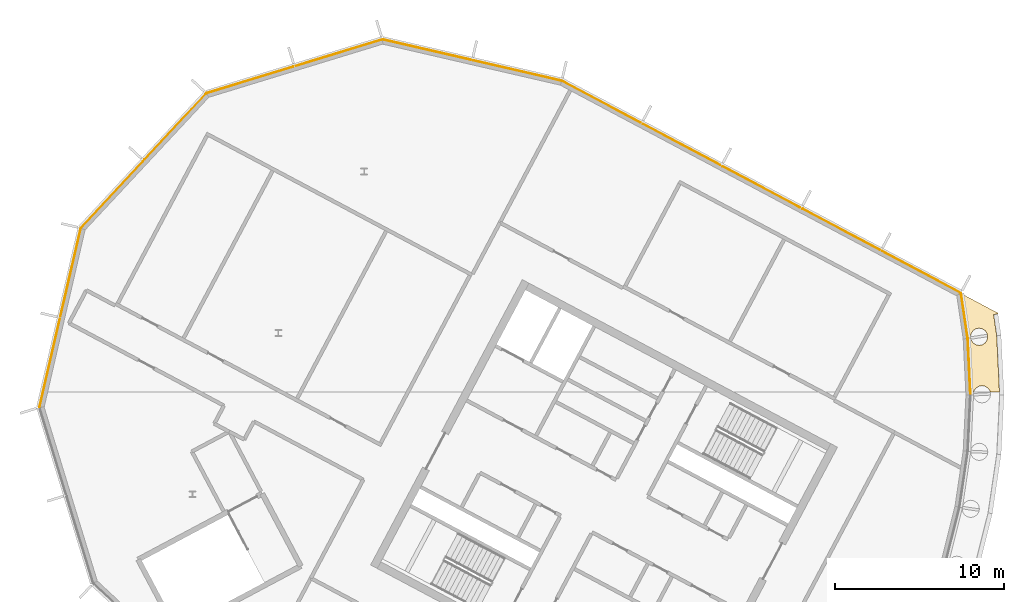
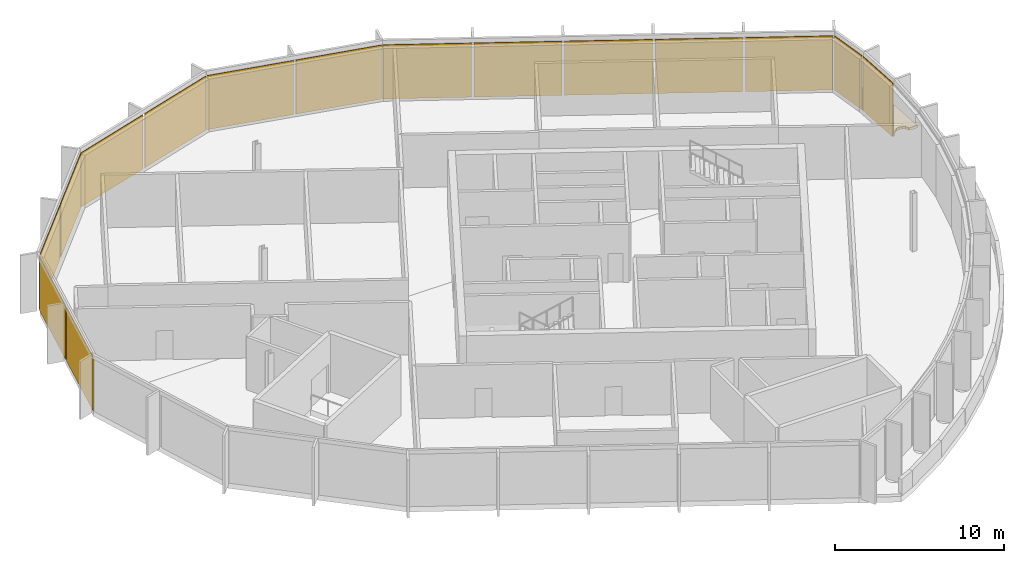
# One storey, part 13 of 13: 16 coverings, 7 elements without a shape of their own.
"""IFC4 building model written with IfcOpenShell, lengths in metres."""

import ifcopenshell
import ifcopenshell.guid

model = None  # the IFC model being written
_history = None  # IfcOwnerHistory: only IFC2X3 demands one
_inside = {}  # id of a spatial element -> (the spatial element, [elements in it])
_under = {}  # id of a project, library or spatial element -> (it, [spatial elements below it])
_declared = {}  # id of a project -> (the project, [libraries it declares])
_typed = {}  # id of a type object -> (the type object, [elements of that type])
_made_of = {}  # id of a material, layer set ... -> (it, [elements and type objects made of it])


def new_model(schema):
    """Start an empty IFC model of exactly this schema.

    Asked for "IFC4X3", IfcOpenShell would pick the latest addendum, in which some entities
    have other attributes; the version numbers below select the first issue.
    IFC2X3 requires an IfcOwnerHistory on every rooted entity: one is made here for all.
    """
    global model, _history
    if schema == "IFC4X3":
        model = ifcopenshell.file(schema_version=(4, 3, 0, 0))
    else:
        model = ifcopenshell.file(schema=schema)
    _inside.clear()
    _under.clear()
    _declared.clear()
    _typed.clear()
    _made_of.clear()
    _history = None
    if model.schema == "IFC2X3":
        org = make("IfcOrganization", Name="unknown")
        user = make(
            "IfcPersonAndOrganization",
            ThePerson=make("IfcPerson", FamilyName="unknown"),
            TheOrganization=org,
        )
        app = make(
            "IfcApplication",
            ApplicationDeveloper=org,
            Version="unknown",
            ApplicationFullName="unknown",
            ApplicationIdentifier="unknown",
        )
        _history = make(
            "IfcOwnerHistory",
            OwningUser=user,
            OwningApplication=app,
            ChangeAction="ADDED",
            CreationDate=0,
        )
    return model


def make(cls, **values):
    """One entity of the class cls with the attributes given. An attribute that is None is left unset."""
    return model.create_entity(
        cls, **{name: value for name, value in values.items() if value is not None}
    )


def rooted(cls, **values):
    """An entity with a GlobalId (a new one), such as an element, a storey or a relation."""
    return make(cls, GlobalId=ifcopenshell.guid.new(), OwnerHistory=_history, **values)


def si_unit(unit_type, name, prefix=None):
    """IfcSIUnit, for example si_unit("LENGTHUNIT", "METRE", prefix="MILLI")."""
    return make("IfcSIUnit", UnitType=unit_type, Prefix=prefix, Name=name)


def assignment(units):
    """IfcUnitAssignment: the units of a project."""
    return None if units is None else make("IfcUnitAssignment", Units=units)


def point(xyz):
    """IfcCartesianPoint."""
    return None if xyz is None else make("IfcCartesianPoint", Coordinates=xyz)


def direction(xyz):
    """IfcDirection."""
    return None if xyz is None else make("IfcDirection", DirectionRatios=xyz)


def frame(location, z_axis=None, x_axis=None):
    """IfcAxis2Placement3D, a coordinate frame: its origin and axes. An axis left out is left unset."""
    return make(
        "IfcAxis2Placement3D",
        Location=point(location),
        Axis=direction(z_axis),
        RefDirection=direction(x_axis),
    )


def frame_2d(location, x_axis=None):
    """IfcAxis2Placement2D, a coordinate frame in the plane: its origin and x axis."""
    return make(
        "IfcAxis2Placement2D", Location=point(location), RefDirection=direction(x_axis)
    )


def origin():
    """The frame at (0, 0, 0) with its axes left unset."""
    return frame((0.0, 0.0, 0.0))


def origin_2d():
    """The frame at (0, 0) in the plane with its x axis left unset."""
    return frame_2d((0.0, 0.0))


def place(relative_to, where):
    """IfcLocalPlacement: puts the frame where relative to a parent placement (None: the world)."""
    return make(
        "IfcLocalPlacement", PlacementRelTo=relative_to, RelativePlacement=where
    )


def context(
    kind, dimensions, precision=None, world=None, true_north=None, identifier=None
):
    """IfcGeometricRepresentationContext, for example the 3D "Model" context."""
    return make(
        "IfcGeometricRepresentationContext",
        ContextIdentifier=identifier,
        ContextType=kind,
        CoordinateSpaceDimension=dimensions,
        Precision=precision,
        WorldCoordinateSystem=world,
        TrueNorth=true_north,
    )


def subcontext(parent, identifier, kind, view, scale=None):
    """IfcGeometricRepresentationSubContext, for example "Body" below "Model"."""
    return make(
        "IfcGeometricRepresentationSubContext",
        ContextIdentifier=identifier,
        ContextType=kind,
        ParentContext=parent,
        TargetScale=scale,
        TargetView=view,
    )


def project(units=None, contexts=None):
    """IfcProject with its units and contexts."""
    return rooted(
        "IfcProject",
        Name="project",
        RepresentationContexts=contexts,
        UnitsInContext=assignment(units),
    )


def spatial(cls, under=None, at=None, **own):
    """A site, building, storey or space (cls), placed at a placement, below another one or the project."""
    s = rooted(cls, ObjectPlacement=at, **own)
    if under is not None:
        _under.setdefault(under.id(), (under, []))[1].append(s)
    return s


def polyline(points):
    """IfcPolyline through the points."""
    return make("IfcPolyline", Points=[point(p) for p in points])


def profile(cls, at=None, kind="AREA", **sizes):
    """A parametric profile (cls). Its sizes go by their IFC names, for example OverallWidth=200.0."""
    return make(cls, ProfileType=kind, Position=at, **sizes)


def rectangle(**sizes):
    """IfcRectangleProfileDef."""
    return profile("IfcRectangleProfileDef", **sizes)


def outline(outer, holes=None, kind="AREA"):
    """IfcArbitraryClosedProfileDef: a profile drawn as a closed curve; with holes, ...WithVoids."""
    if holes is None:
        return make("IfcArbitraryClosedProfileDef", ProfileType=kind, OuterCurve=outer)
    return make(
        "IfcArbitraryProfileDefWithVoids",
        ProfileType=kind,
        OuterCurve=outer,
        InnerCurves=holes,
    )


def extrude(swept, where, along, depth):
    """IfcExtrudedAreaSolid: the profile swept, set in the frame where, extruded along a direction by depth."""
    return make(
        "IfcExtrudedAreaSolid",
        SweptArea=swept,
        Position=where,
        ExtrudedDirection=direction(along),
        Depth=depth,
    )


def shape(context_of_items, identifier, shape_type, items):
    """IfcShapeRepresentation: the items that make up one representation, for example the "Body"."""
    return make(
        "IfcShapeRepresentation",
        ContextOfItems=context_of_items,
        RepresentationIdentifier=identifier,
        RepresentationType=shape_type,
        Items=items,
    )


def material(Name=None, Category=None):
    """IfcMaterial."""
    return make("IfcMaterial", Name=Name, Category=Category)


def layer(
    of_material, thickness, ventilated=None, Name=None, Category=None, Priority=None
):
    """IfcMaterialLayer: one layer of a wall or slab, of a material (None: an air gap)."""
    return make(
        "IfcMaterialLayer",
        Material=of_material,
        LayerThickness=thickness,
        IsVentilated=ventilated,
        Name=Name,
        Category=Category,
        Priority=Priority,
    )


def layer_set(layers, Name=None):
    """IfcMaterialLayerSet."""
    return make("IfcMaterialLayerSet", MaterialLayers=layers, LayerSetName=Name)


def made_of(thing, what):
    """Note that an element or type object is made of a material, layer set ...; save() writes the relation."""
    if what is not None:
        _made_of.setdefault(what.id(), (what, []))[1].append(thing)
    return thing


def type_object(cls, material=None, **own):
    """A type object (cls), such as IfcWallType, which elements share."""
    return made_of(rooted(cls, **own), material)


def element(
    cls,
    number,
    at=None,
    inside=None,
    cuts=None,
    type_object=None,
    material=None,
    context=None,
    identifier="Body",
    shape_type=None,
    held_by="IfcProductDefinitionShape",
    body=None,
    shapes=None,
    **own,
):
    """One element of the class cls, such as IfcWall. Its Tag is "e" and its number.

    at: its placement. inside: the storey or other place that contains it. cuts: it is an
    opening in that element (IfcRelVoidsElement). A single representation is given by context,
    identifier, shape_type and body (its items); several are given by shapes. held_by: the class
    of the entity that holds the representations. save() writes the other relations.
    """
    e = rooted(cls, Tag="e%d" % number, ObjectPlacement=at, **own)
    if body is not None:
        shapes = [shape(context, identifier, shape_type, body)]
    if shapes is not None:
        e.Representation = make(held_by, Representations=shapes)
    if inside is not None:
        _inside.setdefault(inside.id(), (inside, []))[1].append(e)
    if cuts is not None:
        rooted(
            "IfcRelVoidsElement", RelatingBuildingElement=cuts, RelatedOpeningElement=e
        )
    if type_object is not None:
        _typed.setdefault(type_object.id(), (type_object, []))[1].append(e)
    return made_of(e, material)


def aggregate(whole, parts):
    """IfcRelAggregates: a whole, such as a stair, and the parts it consists of."""
    return rooted("IfcRelAggregates", RelatingObject=whole, RelatedObjects=parts)


def save(model, path):
    """Write the relations noted so far, then the file.

    IfcRelAggregates (storeys below a building ...), IfcRelContainedInSpatialStructure (elements
    in a storey), IfcRelDefinesByType, IfcRelAssociatesMaterial and IfcRelDeclares: one each for
    every whole, place, type object, material and project.
    """
    for whole, parts in _under.values():
        aggregate(whole, parts)
    for where, things in _inside.values():
        rooted(
            "IfcRelContainedInSpatialStructure",
            RelatedElements=things,
            RelatingStructure=where,
        )
    for kind, things in _typed.values():
        rooted("IfcRelDefinesByType", RelatedObjects=things, RelatingType=kind)
    for what, things in _made_of.values():
        rooted("IfcRelAssociatesMaterial", RelatedObjects=things, RelatingMaterial=what)
    for by, libraries in _declared.values():
        rooted("IfcRelDeclares", RelatingContext=by, RelatedDefinitions=libraries)
    model.write(path)


model = new_model("IFC4")

# Units and contexts
model_context = context("Model", 3, precision=1e-05, world=origin(), true_north=direction((0.0, 1.0)))
body_context = subcontext(model_context, "Body", "Model", "MODEL_VIEW")
ifc_project = project(units=[si_unit("LENGTHUNIT", "METRE"), si_unit("AREAUNIT", "SQUARE_METRE"), si_unit("VOLUMEUNIT", "CUBIC_METRE"), si_unit("PLANEANGLEUNIT", "RADIAN"), si_unit("MASSUNIT", "GRAM", prefix="KILO")], contexts=[model_context])

# Site, building, storey
site_placement = place(None, origin())
site = spatial("IfcSite", under=ifc_project, at=site_placement, CompositionType="ELEMENT")
building_placement = place(site_placement, origin())
building = spatial("IfcBuilding", under=site, at=building_placement, Name="Cormorant Relay Tower", CompositionType="ELEMENT")
storey_placement = place(building_placement, frame((0.0, 0.0, 353.39990234375)))
storey = spatial("IfcBuildingStorey", under=building, at=storey_placement, Name="C7", CompositionType="ELEMENT", Elevation=353.39990234375)

# Curtain wall, covering
ifc_material_1 = material(Name="Aluminium 6063-T6 anodised bronze", Category="aluminium")
ifc_layer_1 = layer(ifc_material_1, 0.199951171875)
ifc_layer_set_1 = layer_set([ifc_layer_1], Name="CW3 crown screen wall")
curtain_wall_type = type_object("IfcCurtainWallType", Name="CW3 crown screen wall", PredefinedType="NOTDEFINED", material=ifc_layer_set_1)
curtain_wall_1_placement = place(storey_placement, origin())
curtain_wall_1 = element("IfcCurtainWall", 1, at=curtain_wall_1_placement, inside=storey, type_object=curtain_wall_type, Name="CW3 curtain wall 14", PredefinedType="NOTDEFINED")
ifc_material_2 = material(Name="Perforated bronze anodised aluminium screen", Category="aluminium")
ifc_layer_2 = layer(ifc_material_2, 0.0400390625)
ifc_layer_set_2 = layer_set([ifc_layer_2], Name="CW3 perforated bronze screen panel 40")
covering_type_1 = type_object("IfcCoveringType", Name="CW3 perforated bronze screen panel 40", PredefinedType="CLADDING", material=ifc_layer_set_2)
covering_1_placement = place(storey_placement, frame((-5.79638671875, 22.830810546875, 0.000244140625), z_axis=(0.0, 0.0, 1.0), x_axis=(-0.049067674327, 0.998795456205, 0.0)))
covering_1 = element("IfcCovering", 2, at=covering_1_placement, type_object=covering_type_1, Name="CW3 panel X00", PredefinedType="CLADDING", context=body_context, shape_type="SweptSolid", body=[
    extrude(rectangle(XDim=3.26171875, YDim=0.0400390625, at=origin_2d()), origin(), (0.0, 0.0, 1.0), 3.89990234375),
])
aggregate(curtain_wall_1, [covering_1])

curtain_wall_2_placement = place(storey_placement, origin())
curtain_wall_2 = element("IfcCurtainWall", 3, at=curtain_wall_2_placement, inside=storey, type_object=curtain_wall_type, Name="CW3 curtain wall 15", PredefinedType="NOTDEFINED")
covering_2_placement = place(storey_placement, frame((-6.080078125, 25.834228515625, 0.000244140625), z_axis=(0.0, 0.0, 1.0), x_axis=(-0.146730474455, 0.989176509965, 0.0)))
covering_2 = element("IfcCovering", 4, at=covering_2_placement, type_object=covering_type_1, Name="CW3 panel X00", PredefinedType="CLADDING", context=body_context, shape_type="SweptSolid", body=[
    extrude(rectangle(XDim=2.625244140625, YDim=0.0400390625, at=origin_2d()), origin(), (0.0, 0.0, 1.0), 3.89990234375),
])
aggregate(curtain_wall_2, [covering_2])

# Curtain wall, coverings
curtain_wall_3_placement = place(storey_placement, origin())
curtain_wall_3 = element("IfcCurtainWall", 5, at=curtain_wall_3_placement, inside=storey, type_object=curtain_wall_type, Name="CW3 curtain wall 16", PredefinedType="NOTDEFINED")
covering_3_placement = place(storey_placement, frame((-8.641357421875, 28.4013671875, 0.000244140625), z_axis=(0.0, 0.0, 1.0), x_axis=(-0.882947592859, 0.469471562786, 0.0)))
covering_3 = element("IfcCovering", 6, at=covering_3_placement, type_object=covering_type_1, Name="CW3 panel X00", PredefinedType="CLADDING", context=body_context, shape_type="SweptSolid", body=[
    extrude(rectangle(XDim=5.19140625, YDim=0.0400390625, at=origin_2d()), origin(), (0.0, 0.0, 1.0), 3.89990234375),
])
covering_4_placement = place(storey_placement, frame((-13.357421875, 30.908935546875, 0.000244140625), z_axis=(0.0, 0.0, 1.0), x_axis=(-0.882947592859, 0.469471562786, 0.0)))
covering_4 = element("IfcCovering", 7, at=covering_4_placement, type_object=covering_type_1, Name="CW3 panel X01", PredefinedType="CLADDING", context=body_context, shape_type="SweptSolid", body=[
    extrude(rectangle(XDim=5.19140625, YDim=0.0400390625, at=origin_2d()), origin(), (0.0, 0.0, 1.0), 3.89990234375),
])
covering_5_placement = place(storey_placement, frame((-18.07373046875, 33.41650390625, 0.000244140625), z_axis=(0.0, 0.0, 1.0), x_axis=(-0.882947592859, 0.469471562786, 0.0)))
covering_5 = element("IfcCovering", 8, at=covering_5_placement, type_object=covering_type_1, Name="CW3 panel X02", PredefinedType="CLADDING", context=body_context, shape_type="SweptSolid", body=[
    extrude(rectangle(XDim=5.19140625, YDim=0.0400390625, at=origin_2d()), origin(), (0.0, 0.0, 1.0), 3.89990234375),
])
covering_6_placement = place(storey_placement, frame((-22.7900390625, 35.92431640625, 0.000244140625), z_axis=(0.0, 0.0, 1.0), x_axis=(-0.882947592859, 0.469471562786, 0.0)))
covering_6 = element("IfcCovering", 9, at=covering_6_placement, type_object=covering_type_1, Name="CW3 panel X03", PredefinedType="CLADDING", context=body_context, shape_type="SweptSolid", body=[
    extrude(rectangle(XDim=5.19140625, YDim=0.0400390625, at=origin_2d()), origin(), (0.0, 0.0, 1.0), 3.89990234375),
])
covering_7_placement = place(storey_placement, frame((-27.539306640625, 38.44970703125, 0.000244140625), z_axis=(0.0, 0.0, 1.0), x_axis=(-0.882947592859, 0.469471562786, 0.0)))
covering_7 = element("IfcCovering", 10, at=covering_7_placement, type_object=covering_type_1, Name="CW3 panel X04", PredefinedType="CLADDING", context=body_context, shape_type="SweptSolid", body=[
    extrude(rectangle(XDim=5.2666015625, YDim=0.0400390625, at=origin_2d()), origin(), (0.0, 0.0, 1.0), 3.89990234375),
])
aggregate(curtain_wall_3, [covering_3, covering_4, covering_5, covering_6, covering_7])

curtain_wall_4_placement = place(storey_placement, origin())
curtain_wall_4 = element("IfcCurtainWall", 11, at=curtain_wall_4_placement, inside=storey, type_object=curtain_wall_type, Name="CW3 curtain wall 17", PredefinedType="NOTDEFINED")
covering_8_placement = place(storey_placement, frame((-32.51708984375, 40.298828125, 0.000244140625), z_axis=(0.0, 0.0, 1.0), x_axis=(-0.974370064785, 0.224951054344, 0.0)))
covering_8 = element("IfcCovering", 12, at=covering_8_placement, type_object=covering_type_1, Name="CW3 panel X00", PredefinedType="CLADDING", context=body_context, shape_type="SweptSolid", body=[
    extrude(rectangle(XDim=5.28515625, YDim=0.0400390625, at=origin_2d()), origin(), (0.0, 0.0, 1.0), 3.89990234375),
])
covering_9_placement = place(storey_placement, frame((-37.849609375, 41.530029296875, 0.000244140625), z_axis=(0.0, 0.0, 1.0), x_axis=(-0.974370064785, 0.224951054344, 0.0)))
covering_9 = element("IfcCovering", 13, at=covering_9_placement, type_object=covering_type_1, Name="CW3 panel X01", PredefinedType="CLADDING", context=body_context, shape_type="SweptSolid", body=[
    extrude(rectangle(XDim=5.360107421875, YDim=0.0400390625, at=origin_2d()), origin(), (0.0, 0.0, 1.0), 3.89990234375),
])
aggregate(curtain_wall_4, [covering_8, covering_9])

curtain_wall_5_placement = place(storey_placement, origin())
curtain_wall_5 = element("IfcCurtainWall", 14, at=curtain_wall_5_placement, inside=storey, type_object=curtain_wall_type, Name="CW3 curtain wall 18", PredefinedType="NOTDEFINED")
covering_10_placement = place(storey_placement, frame((-43.0703125, 41.337890625, 0.000244140625), z_axis=(0.0, 0.0, 1.0), x_axis=(-0.956304755963, -0.292371704723, 0.0)))
covering_10 = element("IfcCovering", 15, at=covering_10_placement, type_object=covering_type_1, Name="CW3 panel X00", PredefinedType="CLADDING", context=body_context, shape_type="SweptSolid", body=[
    extrude(rectangle(XDim=5.28515625, YDim=0.0400390625, at=origin_2d()), origin(), (0.0, 0.0, 1.0), 3.89990234375),
])
covering_11_placement = place(storey_placement, frame((-48.3037109375, 39.73779296875, 0.000244140625), z_axis=(0.0, 0.0, 1.0), x_axis=(-0.956304755963, -0.292371704723, 0.0)))
covering_11 = element("IfcCovering", 16, at=covering_11_placement, type_object=covering_type_1, Name="CW3 panel X01", PredefinedType="CLADDING", context=body_context, shape_type="SweptSolid", body=[
    extrude(rectangle(XDim=5.360107421875, YDim=0.0400390625, at=origin_2d()), origin(), (0.0, 0.0, 1.0), 3.89990234375),
])
aggregate(curtain_wall_5, [covering_10, covering_11])

curtain_wall_6_placement = place(storey_placement, origin())
curtain_wall_6 = element("IfcCurtainWall", 17, at=curtain_wall_6_placement, inside=storey, type_object=curtain_wall_type, Name="CW3 curtain wall 19", PredefinedType="NOTDEFINED")
covering_12_placement = place(storey_placement, frame((-52.72900390625, 36.961181640625, 0.000244140625), z_axis=(0.0, 0.0, 1.0), x_axis=(-0.681998360062, -0.731353701619, 0.0)))
covering_12 = element("IfcCovering", 18, at=covering_12_placement, type_object=covering_type_1, Name="CW3 panel X00", PredefinedType="CLADDING", context=body_context, shape_type="SweptSolid", body=[
    extrude(rectangle(XDim=5.28515625, YDim=0.0400390625, at=origin_2d()), origin(), (0.0, 0.0, 1.0), 3.89990234375),
])
covering_13_placement = place(storey_placement, frame((-56.461181640625, 32.958984375, 0.000244140625), z_axis=(0.0, 0.0, 1.0), x_axis=(-0.681998360062, -0.731353701619, 0.0)))
covering_13 = element("IfcCovering", 19, at=covering_13_placement, type_object=covering_type_1, Name="CW3 panel X01", PredefinedType="CLADDING", context=body_context, shape_type="SweptSolid", body=[
    extrude(rectangle(XDim=5.360107421875, YDim=0.0400390625, at=origin_2d()), origin(), (0.0, 0.0, 1.0), 3.89990234375),
])
aggregate(curtain_wall_6, [covering_12, covering_13])

curtain_wall_7_placement = place(storey_placement, origin())
curtain_wall_7 = element("IfcCurtainWall", 20, at=curtain_wall_7_placement, inside=storey, type_object=curtain_wall_type, Name="CW3 curtain wall 20", PredefinedType="NOTDEFINED")
covering_14_placement = place(storey_placement, frame((-58.905517578125, 28.341796875, 0.000244140625), z_axis=(0.0, 0.0, 1.0), x_axis=(-0.224951054344, -0.974370064785, 0.0)))
covering_14 = element("IfcCovering", 21, at=covering_14_placement, type_object=covering_type_1, Name="CW3 panel X00", PredefinedType="CLADDING", context=body_context, shape_type="SweptSolid", body=[
    extrude(rectangle(XDim=5.28515625, YDim=0.0400390625, at=origin_2d()), origin(), (0.0, 0.0, 1.0), 3.89990234375),
])
covering_15_placement = place(storey_placement, frame((-60.136474609375, 23.00927734375, 0.000244140625), z_axis=(0.0, 0.0, 1.0), x_axis=(-0.224951054344, -0.974370064785, 0.0)))
covering_15 = element("IfcCovering", 22, at=covering_15_placement, type_object=covering_type_1, Name="CW3 panel X01", PredefinedType="CLADDING", context=body_context, shape_type="SweptSolid", body=[
    extrude(rectangle(XDim=5.360107421875, YDim=0.0400390625, at=origin_2d()), origin(), (0.0, 0.0, 1.0), 3.89990234375),
])
aggregate(curtain_wall_7, [covering_14, covering_15])

# Covering
ifc_material_3 = material(Name="Bituminous waterproof membrane on mineral wool insulation")
ifc_layer_3 = layer(ifc_material_3, 0.179931640625)
ifc_layer_set_3 = layer_set([ifc_layer_3], Name="Roof membrane and insulation 180")
covering_type_2 = type_object("IfcCoveringType", Name="Roof membrane and insulation 180", PredefinedType="ROOFING", material=ifc_layer_set_3)
covering_16_placement = place(storey_placement, origin())
element("IfcCovering", 23, at=covering_16_placement, inside=storey, type_object=covering_type_2, Name="Roof membrane", PredefinedType="ROOFING", context=body_context, shape_type="SweptSolid", body=[
    extrude(outline(polyline([(-5.691162109375, 21.300048828125), (-5.846923828125, 24.47119140625), (-5.89697265625, 24.46875), (-5.90478515625, 24.523193359375), (-5.8564453125, 24.530517578125), (-6.23779296875, 27.1005859375), (-4.10009765625, 25.964111328125), (-4.09228515625, 25.91162109375), (-4.349609375, 25.873291015625), (-4.1650390625, 24.62939453125), (-4.00146484375, 21.300048828125), (-4.551025390625, 21.300048828125), (-4.56201171875, 21.355712890625), (-4.672607421875, 21.521484375), (-4.83837890625, 21.632080078125), (-5.033447265625, 21.6708984375), (-5.228759765625, 21.632080078125), (-5.394287109375, 21.521484375), (-5.5048828125, 21.355712890625), (-5.51611328125, 21.300048828125), (-5.691162109375, 21.300048828125)]), holes=[polyline([(-4.732421875, 24.3662109375), (-4.693603515625, 24.5615234375), (-4.732421875, 24.756591796875), (-4.843017578125, 24.92236328125), (-5.0087890625, 25.032958984375), (-5.203857421875, 25.07177734375), (-5.399169921875, 25.032958984375), (-5.564697265625, 24.92236328125), (-5.67529296875, 24.756591796875), (-5.714111328125, 24.5615234375), (-5.67529296875, 24.3662109375), (-5.564697265625, 24.20068359375), (-5.399169921875, 24.090087890625), (-5.203857421875, 24.05126953125), (-5.0087890625, 24.090087890625), (-4.843017578125, 24.20068359375), (-4.732421875, 24.3662109375)])]), origin(), (0.0, 0.0, 1.0), 0.18017578125),
])

save(model, "model.ifc")
